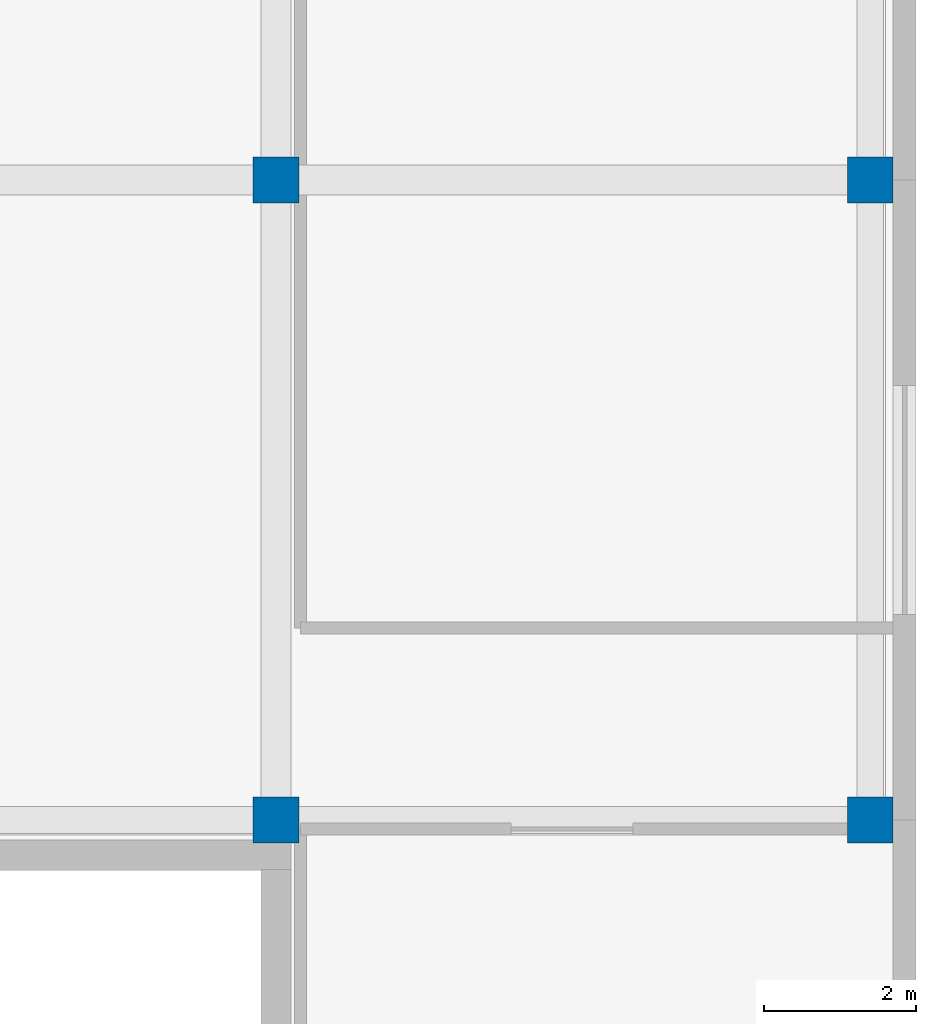
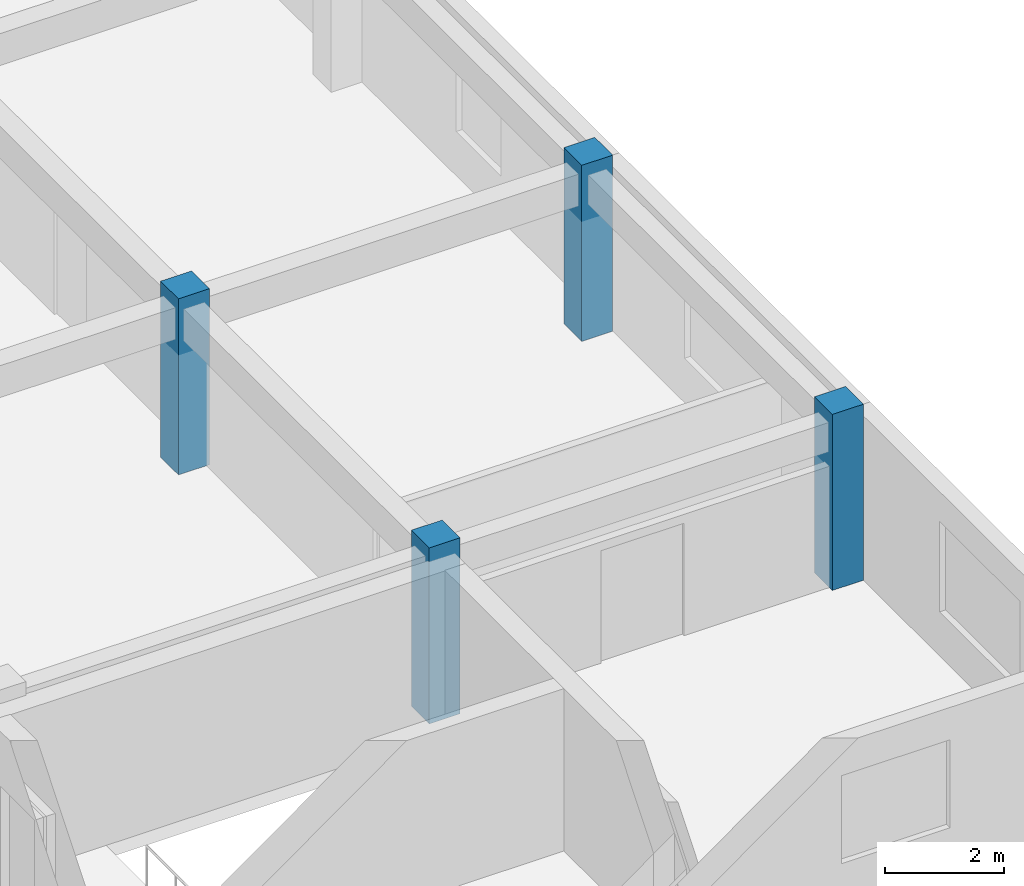
# One storey, part 6 of 144: 4 columns.
"""IFC4 building model written with IfcOpenShell, lengths in metres."""

from ifc_helpers import new_model, si_unit, direction, frame, origin, origin_2d, place, context, subcontext, project, spatial, rectangle, extrude, material, material_profile, profile_set, type_object, element, save


model = new_model("IFC4")

# Units and contexts
model_context = context("Model", 3, precision=1e-05, world=origin(), true_north=direction((0.0, 1.0)))
body_context = subcontext(model_context, "Body", "Model", "MODEL_VIEW")
ifc_project = project(units=[si_unit("LENGTHUNIT", "METRE"), si_unit("AREAUNIT", "SQUARE_METRE"), si_unit("VOLUMEUNIT", "CUBIC_METRE"), si_unit("PLANEANGLEUNIT", "RADIAN"), si_unit("MASSUNIT", "GRAM", prefix="KILO")], contexts=[model_context])

# Site, building, storey
site_placement = place(None, origin())
site = spatial("IfcSite", under=ifc_project, at=site_placement, CompositionType="ELEMENT")
building_placement = place(site_placement, origin())
building = spatial("IfcBuilding", under=site, at=building_placement, Name="Zayran Congress Hotel", CompositionType="ELEMENT")
storey_placement = place(building_placement, frame((0.0, 0.0, 19.199951171875)))
storey = spatial("IfcBuildingStorey", under=building, at=storey_placement, Name="L04", CompositionType="ELEMENT", Elevation=19.199951171875)

# Columns
ifc_material = material(Name="Concrete C40/50", Category="concrete")
ifc_material_profile = material_profile(ifc_material, rectangle(XDim=0.60009765625, YDim=0.60009765625, at=origin_2d()), Name="RC 600x600")
ifc_profile_set = profile_set([ifc_material_profile], Name="Concrete C40/50")
column_type = type_object("IfcColumnType", Name="TP-CL-04", PredefinedType="COLUMN", material=ifc_profile_set)
for number, where, z_axis, x_axis, name in (
    (1, (126.0, 59.199951171875, 0.0), (0.0, 0.0, 1.0), (1.0, 0.0, 0.0), "COL-V4-L04-0869"),
    (2, (126.0, 67.60009765625, 0.0), (0.0, 0.0, 1.0), (1.0, 0.0, 0.0), "COL-V4-L04-0870"),
    (3, (133.800048828125, 59.199951171875, 0.0), (0.0, 0.0, 1.0), (1.0, 0.0, 0.0), "COL-V4-L04-0873"),
    (4, (133.800048828125, 67.60009765625, 0.0), (0.0, 0.0, 1.0), (1.0, 0.0, 0.0), "COL-V4-L04-0874"),
):
    element("IfcColumn", number, at=place(storey_placement, frame(where, z_axis=z_axis, x_axis=x_axis)), inside=storey, type_object=column_type, Name=name, PredefinedType="COLUMN", context=body_context, shape_type="SweptSolid", body=[
        extrude(rectangle(XDim=0.60009765625, YDim=0.60009765625, at=origin_2d()), origin(), (0.0, 0.0, 1.0), 3.60009765625),
    ])

save(model, "model.ifc")
